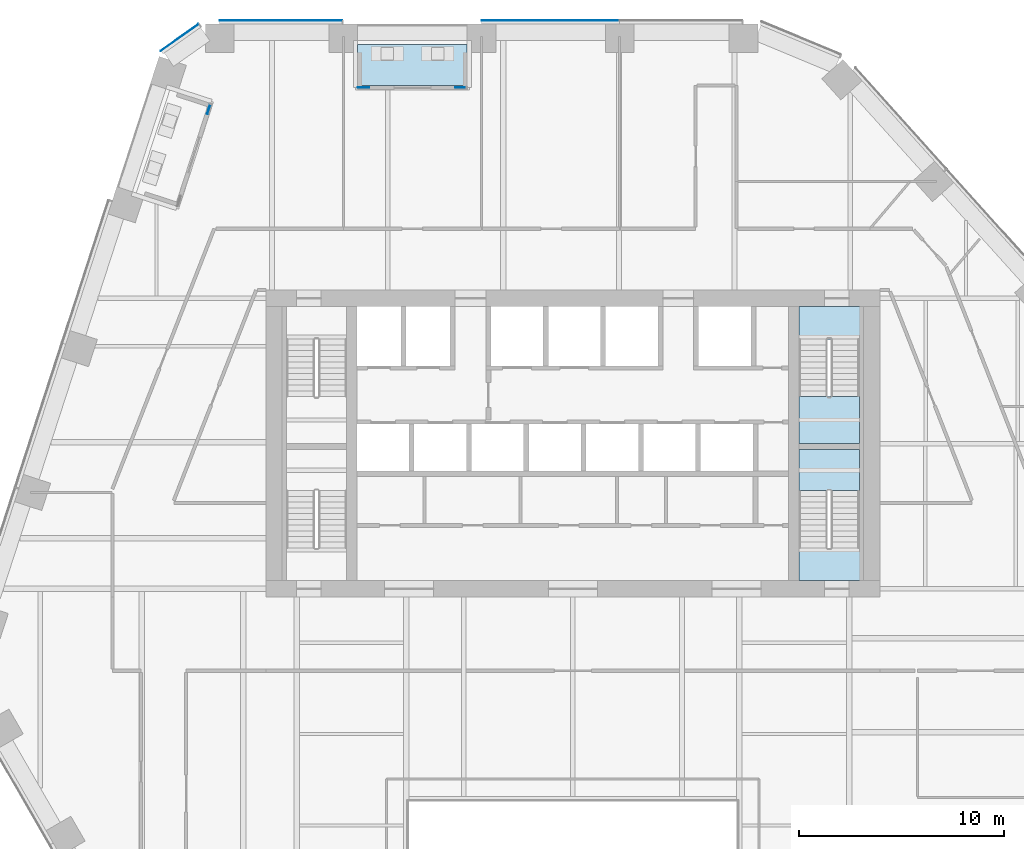
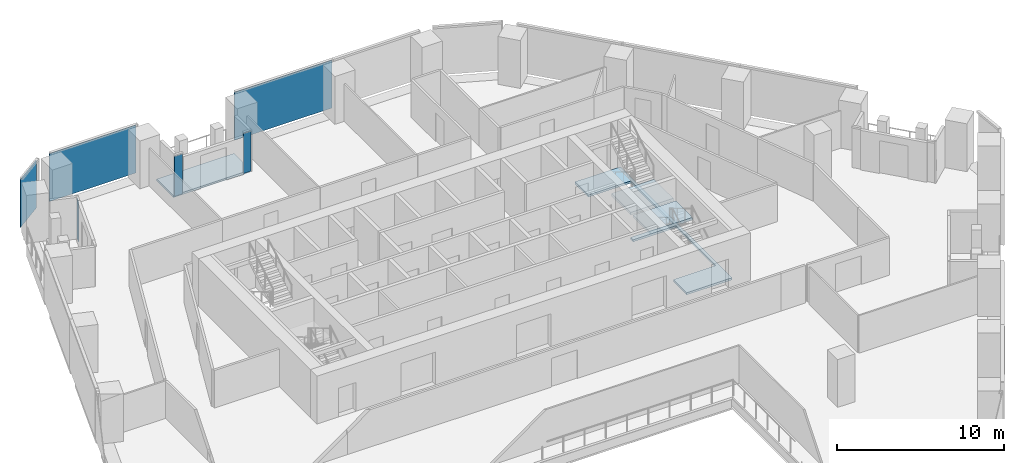
# One storey, part 17 of 26: 6 plates, 4 slabs, 6 elements without a shape of their own.
"""IFC4 building model written with IfcOpenShell, lengths in metres."""

from ifc_helpers import new_model, si_unit, direction, frame, origin, origin_2d, place, context, subcontext, project, spatial, polyline, rectangle, outline, extrude, material, layer, layer_set, type_object, element, aggregate, save


model = new_model("IFC4")

# Units and contexts
model_context = context("Model", 3, precision=1e-05, world=origin(), true_north=direction((0.0, 1.0)))
body_context = subcontext(model_context, "Body", "Model", "MODEL_VIEW")
ifc_project = project(units=[si_unit("LENGTHUNIT", "METRE"), si_unit("AREAUNIT", "SQUARE_METRE"), si_unit("VOLUMEUNIT", "CUBIC_METRE"), si_unit("PLANEANGLEUNIT", "RADIAN"), si_unit("MASSUNIT", "GRAM", prefix="KILO")], contexts=[model_context])

# Site, building, storey
site_placement = place(None, origin())
site = spatial("IfcSite", under=ifc_project, at=site_placement, CompositionType="ELEMENT")
building_placement = place(site_placement, origin())
building = spatial("IfcBuilding", under=site, at=building_placement, Name="Isthmus Gate Tower", CompositionType="ELEMENT")
storey_placement = place(building_placement, frame((0.0, 0.0, 129.800048828125)))
storey = spatial("IfcBuildingStorey", under=building, at=storey_placement, Name="L31", CompositionType="ELEMENT", Elevation=129.800048828125)

# Slab
ifc_material_1 = material(Name="Concrete f'c 40 MPa", Category="concrete")
ifc_layer_1 = layer(ifc_material_1, 0.14990234375)
ifc_layer_set_1 = layer_set([ifc_layer_1], Name="CORE FLOOR SLAB 150")
slab_type_1 = type_object("IfcSlabType", Name="CORE FLOOR SLAB 150", PredefinedType="FLOOR", material=ifc_layer_set_1)
slab_1_placement = place(storey_placement, frame((0.0, 0.0, -0.150146484375)))
element("IfcSlab", 1, at=slab_1_placement, inside=storey, type_object=slab_type_1, Name="L31 core floor", PredefinedType="FLOOR", context=body_context, shape_type="SweptSolid", body=[
    extrude(outline(polyline([(11.050048828125, 14.199951171875), (11.050048828125, 12.597900390625), (14.0, 12.597900390625), (14.0, 7.5), (11.050048828125, 7.5), (11.050048828125, 7.199951171875), (14.0, 7.199951171875), (14.0, 2.402099609375), (11.050048828125, 2.402099609375), (11.050048828125, 0.800048828125), (14.199951171875, 0.800048828125), (14.199951171875, 14.199951171875), (11.050048828125, 14.199951171875)])), origin(), (0.0, 0.0, 1.0), 0.150146484375),
])

# Curtain wall, plates
ifc_material_2 = material(Name="Aluminium, pale champagne anodised", Category="aluminium")
ifc_layer_2 = layer(ifc_material_2, 0.199951171875)
ifc_layer_set_2 = layer_set([ifc_layer_2], Name="CW-1 UNITISED CURTAIN WALL 200 DEEP")
curtain_wall_type_1 = type_object("IfcCurtainWallType", Name="CW-1 UNITISED CURTAIN WALL 200 DEEP", PredefinedType="NOTDEFINED", material=ifc_layer_set_2)
curtain_wall_1_placement = place(storey_placement, origin())
curtain_wall_1 = element("IfcCurtainWall", 2, at=curtain_wall_1_placement, inside=storey, type_object=curtain_wall_type_1, Name="CW-1 N L31", PredefinedType="NOTDEFINED")
ifc_material_3 = material(Name="Laminated low-iron glass, pale blue tint", Category="glass")
ifc_layer_3 = layer(ifc_material_3, 0.035888671875)
ifc_layer_set_3 = layer_set([ifc_layer_3], Name="CW-1 CLEAR GLASS LITE 36")
plate_type_1 = type_object("IfcPlateType", Name="CW-1 CLEAR GLASS LITE 36", PredefinedType="CURTAIN_PANEL", material=ifc_layer_set_3)
plate_1_placement = place(storey_placement, frame((-1.086669921875, 28.181884765625, 0.0), z_axis=(0.0, 0.0, 1.0), x_axis=(-1.0, 0.0, 0.0)))
plate_1 = element("IfcPlate", 3, at=plate_1_placement, type_object=plate_type_1, Name="CW-1 glass lite", PredefinedType="CURTAIN_PANEL", context=body_context, shape_type="SweptSolid", body=[
    extrude(rectangle(XDim=6.750244140625, YDim=0.035888671875, at=origin_2d()), origin(), (0.0, 0.0, 1.0), 3.510009765625),
])
plate_2_placement = place(storey_placement, frame((-14.266845703125, 28.181884765625, 0.0), z_axis=(0.0, 0.0, 1.0), x_axis=(-1.0, 0.0, 0.0)))
plate_2 = element("IfcPlate", 4, at=plate_2_placement, type_object=plate_type_1, Name="CW-1 glass lite", PredefinedType="CURTAIN_PANEL", context=body_context, shape_type="SweptSolid", body=[
    extrude(rectangle(XDim=5.990234375, YDim=0.035888671875, at=origin_2d()), origin(), (0.0, 0.0, 1.0), 3.510009765625),
])
aggregate(curtain_wall_1, [plate_1, plate_2])

# Curtain wall, plate
curtain_wall_2_placement = place(storey_placement, origin())
curtain_wall_2 = element("IfcCurtainWall", 5, at=curtain_wall_2_placement, inside=storey, type_object=curtain_wall_type_1, Name="CW-1 N-NW L31", PredefinedType="NOTDEFINED")
plate_3_placement = place(storey_placement, frame((-19.2119140625, 27.343017578125, 0.0), z_axis=(0.0, 0.0, 1.0), x_axis=(-0.81785959165, -0.57541783805, 0.0)))
plate_3 = element("IfcPlate", 6, at=plate_3_placement, type_object=plate_type_1, Name="CW-1 glass lite", PredefinedType="CURTAIN_PANEL", context=body_context, shape_type="SweptSolid", body=[
    extrude(rectangle(XDim=2.258544921875, YDim=0.035888671875, at=origin_2d()), origin(), (0.0, 0.0, 1.0), 3.510009765625),
])
aggregate(curtain_wall_2, [plate_3])

# Curtain wall, plates
ifc_material_4 = material(Name="Aluminium, pale champagne anodised", Category="aluminium")
ifc_layer_4 = layer(ifc_material_4, 0.14990234375)
ifc_layer_set_4 = layer_set([ifc_layer_4], Name="CW-6 LOGGIA BACK WALL GLAZING 150 DEEP")
curtain_wall_type_2 = type_object("IfcCurtainWallType", Name="CW-6 LOGGIA BACK WALL GLAZING 150 DEEP", PredefinedType="NOTDEFINED", material=ifc_layer_set_4)
curtain_wall_3_placement = place(storey_placement, origin())
curtain_wall_3 = element("IfcCurtainWall", 7, at=curtain_wall_3_placement, inside=storey, type_object=curtain_wall_type_2, Name="CW-6 N L31", PredefinedType="NOTDEFINED")
ifc_material_5 = material(Name="Laminated low-iron glass, clear", Category="glass")
ifc_layer_5 = layer(ifc_material_5, 0.031982421875)
ifc_layer_set_5 = layer_set([ifc_layer_5], Name="CW-6 CLEAR GLASS LITE 32")
plate_type_2 = type_object("IfcPlateType", Name="CW-6 CLEAR GLASS LITE 32", PredefinedType="CURTAIN_PANEL", material=ifc_layer_set_5)
plate_4_placement = place(storey_placement, frame((-5.479248046875, 24.89990234375, 0.0), z_axis=(0.0, 0.0, 1.0), x_axis=(-1.0, 0.0, 0.0)))
plate_4 = element("IfcPlate", 8, at=plate_4_placement, type_object=plate_type_2, Name="CW-6 glass lite", PredefinedType="CURTAIN_PANEL", context=body_context, shape_type="SweptSolid", body=[
    extrude(rectangle(XDim=0.51513671875, YDim=0.031982421875, at=origin_2d()), origin(), (0.0, 0.0, 1.0), 2.929931640625),
])
plate_5_placement = place(storey_placement, frame((-10.224365234375, 24.89990234375, 0.0), z_axis=(0.0, 0.0, 1.0), x_axis=(-1.0, 0.0, 0.0)))
plate_5 = element("IfcPlate", 9, at=plate_5_placement, type_object=plate_type_2, Name="CW-6 glass lite", PredefinedType="CURTAIN_PANEL", context=body_context, shape_type="SweptSolid", body=[
    extrude(rectangle(XDim=0.574951171875, YDim=0.031982421875, at=origin_2d()), origin(), (0.0, 0.0, 1.0), 2.929931640625),
])
aggregate(curtain_wall_3, [plate_4, plate_5])

# Curtain wall, plate
curtain_wall_4_placement = place(storey_placement, origin())
curtain_wall_4 = element("IfcCurtainWall", 10, at=curtain_wall_4_placement, inside=storey, type_object=curtain_wall_type_2, Name="CW-6 NW L31", PredefinedType="NOTDEFINED")
plate_6_placement = place(storey_placement, frame((-17.792724609375, 23.837646484375, 0.0), z_axis=(0.0, 0.0, 1.0), x_axis=(-0.309016994375, -0.951056516295, 0.0)))
plate_6 = element("IfcPlate", 11, at=plate_6_placement, type_object=plate_type_2, Name="CW-6 glass lite", PredefinedType="CURTAIN_PANEL", context=body_context, shape_type="SweptSolid", body=[
    extrude(rectangle(XDim=0.4853515625, YDim=0.031982421875, at=origin_2d()), origin(), (0.0, 0.0, 1.0), 2.929931640625),
])
aggregate(curtain_wall_4, [plate_6])

# Slab
ifc_material_6 = material(Name="Concrete f'c 50 MPa", Category="concrete")
ifc_layer_6 = layer(ifc_material_6, 0.14990234375)
ifc_layer_set_6 = layer_set([ifc_layer_6], Name="LOGGIA FLOOR SLAB 150")
slab_type_2 = type_object("IfcSlabType", Name="LOGGIA FLOOR SLAB 150", PredefinedType="FLOOR", material=ifc_layer_set_6)
slab_2_placement = place(storey_placement, frame((0.0, 0.0, -0.150146484375)))
element("IfcSlab", 12, at=slab_2_placement, inside=storey, type_object=slab_type_2, Name="LOGGIA FLOOR", PredefinedType="FLOOR", context=body_context, shape_type="SweptSolid", body=[
    extrude(outline(polyline([(-5.16162109375, 27.0), (-10.51171875, 27.0), (-10.51171875, 25.0), (-5.16162109375, 25.0), (-5.16162109375, 27.0)])), origin(), (0.0, 0.0, 1.0), 0.150146484375),
])

# Stair, slab
ifc_material_7 = material(Name="Concrete f'c 40 MPa", Category="concrete")
stair_type = type_object("IfcStairType", Name="CORE STAIR 22 RISERS", PredefinedType="HALF_TURN_STAIR", material=ifc_material_7)
stair_1_placement = place(storey_placement, origin())
stair_1 = element("IfcStair", 13, at=stair_1_placement, inside=storey, type_object=stair_type, Name="L31 Exit Stair 2", PredefinedType="HALF_TURN_STAIR")
ifc_material_8 = material(Name="Concrete f'c 40 MPa", Category="concrete")
ifc_layer_7 = layer(ifc_material_8, 0.199951171875)
ifc_layer_set_7 = layer_set([ifc_layer_7])
slab_type_3 = type_object("IfcSlabType", Name="STAIR LANDING RC 200", PredefinedType="LANDING", material=ifc_layer_set_7)
slab_3_placement = place(storey_placement, frame((0.0, 0.0, 1.625)))
slab_3 = element("IfcSlab", 14, at=slab_3_placement, type_object=slab_type_3, Name="ST2 landing 1", PredefinedType="LANDING", context=body_context, shape_type="SweptSolid", body=[
    extrude(outline(polyline([(11.050048828125, 9.800048828125), (11.050048828125, 7.5), (14.0, 7.5), (14.0, 9.800048828125), (11.050048828125, 9.800048828125)])), origin(), (0.0, 0.0, 1.0), 0.199951171875),
])
aggregate(stair_1, [slab_3])

stair_2_placement = place(storey_placement, origin())
stair_2 = element("IfcStair", 15, at=stair_2_placement, inside=storey, type_object=stair_type, Name="L31 Exit Stair 8", PredefinedType="HALF_TURN_STAIR")
slab_4_placement = place(storey_placement, frame((0.0, 0.0, 1.625)))
slab_4 = element("IfcSlab", 16, at=slab_4_placement, type_object=slab_type_3, Name="ST8 landing 1", PredefinedType="LANDING", context=body_context, shape_type="SweptSolid", body=[
    extrude(outline(polyline([(14.0, 5.199951171875), (14.0, 7.199951171875), (11.050048828125, 7.199951171875), (11.050048828125, 5.199951171875), (14.0, 5.199951171875)])), origin(), (0.0, 0.0, 1.0), 0.199951171875),
])
aggregate(stair_2, [slab_4])

save(model, "model.ifc")
